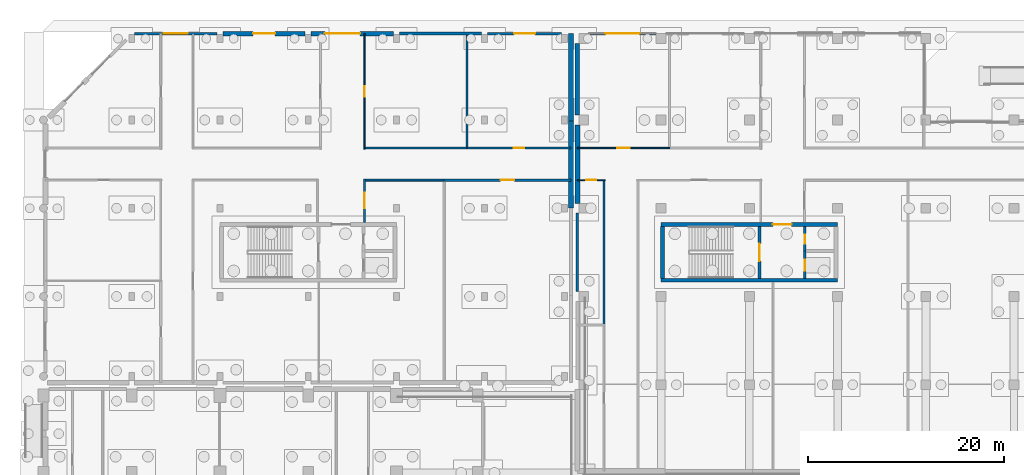
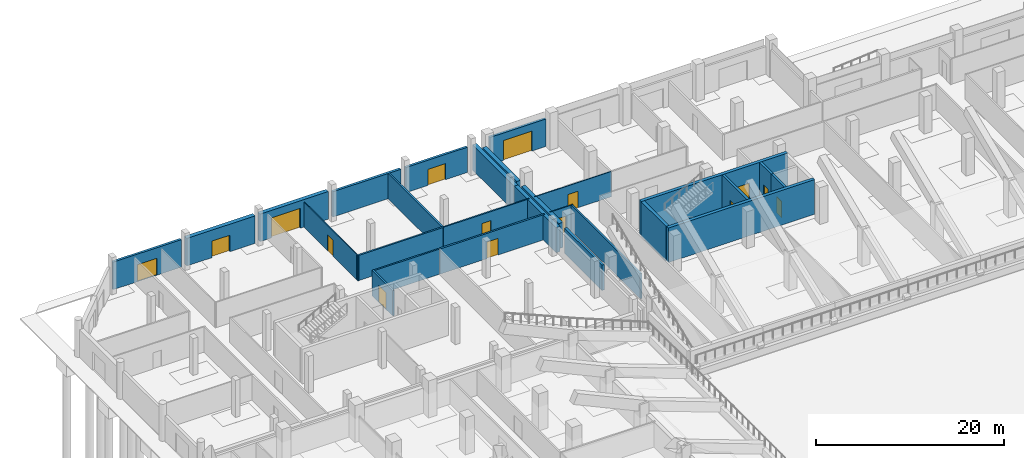
# One storey, part 34 of 53: 27 walls, 15 doors, 15 openings.
"""IFC4 building model written with IfcOpenShell, lengths in metres."""

from ifc_helpers import new_model, si_unit, direction, frame, frame_2d, origin, place, context, subcontext, project, spatial, rectangle, extrude, material, layer, layer_set, type_object, element, fill, save


model = new_model("IFC4")

# Units and contexts
model_context = context("Model", 3, precision=1e-05, world=origin(), true_north=direction((0.0, 1.0)))
body_context = subcontext(model_context, "Body", "Model", "MODEL_VIEW")
ifc_project = project(units=[si_unit("LENGTHUNIT", "METRE"), si_unit("AREAUNIT", "SQUARE_METRE"), si_unit("VOLUMEUNIT", "CUBIC_METRE"), si_unit("PLANEANGLEUNIT", "RADIAN"), si_unit("MASSUNIT", "GRAM", prefix="KILO"), si_unit("THERMODYNAMICTEMPERATUREUNIT", "KELVIN"), si_unit("POWERUNIT", "WATT")], contexts=[model_context])

# Site, building, storey
site_placement = place(None, origin())
site = spatial("IfcSite", under=ifc_project, at=site_placement, CompositionType="ELEMENT")
building_placement = place(site_placement, origin())
building = spatial("IfcBuilding", under=site, at=building_placement, Name="Sindhuravela Promenade Stadium", CompositionType="ELEMENT")
storey_placement = place(building_placement, origin())
storey = spatial("IfcBuildingStorey", under=building, at=storey_placement, Name="L00", CompositionType="ELEMENT", Elevation=0.0)

# Wall
ifc_material_1 = material(Name="Dholpur sandstone ashlar (45 MPa)", Category="masonry")
ifc_layer_1 = layer(ifc_material_1, 0.2900390625)
ifc_layer_set_1 = layer_set([ifc_layer_1], Name="Dholpur sandstone ashlar (45 MPa)")
wall_type_1 = type_object("IfcWallType", Name="EX-WL-SND290", PredefinedType="SOLIDWALL", material=ifc_layer_set_1)
wall_1_placement = place(storey_placement, frame((54.449951171875, 135.5048828125, 0.0), z_axis=(0.0, 0.0, 1.0), x_axis=(0.0, 1.0, 0.0)))
element("IfcWall", 1, at=wall_1_placement, inside=storey, type_object=wall_type_1, Name="Exterior masonry wall EW10 NORTH L00", PredefinedType="SOLIDWALL", context=body_context, shape_type="SweptSolid", body=[
    extrude(rectangle(XDim=7.990234375, YDim=0.2900390625, at=frame_2d((3.9951171875, 0.0))), origin(), (0.0, 0.0, 1.0), 3.280029296875),
])

# Wall, opening, door
wall_2_placement = place(storey_placement, frame((9.304931640625, 161.800048828125, 0.0), z_axis=(0.0, 0.0, 1.0), x_axis=(1.0, 0.0, 0.0)))
wall_2 = element("IfcWall", 2, at=wall_2_placement, inside=storey, type_object=wall_type_1, Name="Exterior masonry wall EW10 Pavilion NW L00", PredefinedType="SOLIDWALL", context=body_context, shape_type="SweptSolid", body=[
    extrude(rectangle(XDim=8.39013671875, YDim=0.2900390625, at=frame_2d((4.195068359375, 0.0))), origin(), (0.0, 0.0, 1.0), 3.580078125),
])
opening_1_placement = place(wall_2_placement, frame((2.969970703125, 0.0, 0.0)))
opening_1 = element("IfcOpeningElement", 3, at=opening_1_placement, cuts=wall_2, Name="Opening GT01", PredefinedType="OPENING", context=body_context, shape_type="SweptSolid", body=[
    extrude(rectangle(XDim=2.449951171875, YDim=2.199951171875, at=frame_2d((1.22509765625, 1.10009765625))), frame((0.0, 0.155029296875, 0.0), z_axis=(0.0, -1.0, 0.0), x_axis=(1.0, 0.0, 0.0)), (0.0, 0.0, 1.0), 0.31005859375),
])
ifc_material_2 = material(Name="Architectural wrought steel E350", Category="steel")
door_type_1 = type_object("IfcDoorType", Name="DR-GATE-2450x2200", OperationType="DOUBLE_DOOR_SINGLE_SWING", PredefinedType="GATE", material=ifc_material_2)
door_1_placement = place(opening_1_placement, origin())
door_1 = element("IfcDoor", 4, at=door_1_placement, inside=storey, type_object=door_type_1, Name="Promenade court exit gate GT01", OperationType="DOUBLE_DOOR_SINGLE_SWING", OverallHeight=2.199951171875, OverallWidth=2.449951171875, PredefinedType="GATE", context=body_context, shape_type="SweptSolid", body=[
    extrude(rectangle(XDim=2.449951171875, YDim=2.199951171875, at=frame_2d((1.22509765625, 1.10009765625))), frame((0.0, 0.02490234375, 0.0), z_axis=(0.0, -1.0, 0.0), x_axis=(1.0, 0.0, 0.0)), (0.0, 0.0, 1.0), 0.050048828125),
])
fill(opening_1, door_1)

wall_3_placement = place(storey_placement, frame((45.304931640625, 161.800048828125, 0.0), z_axis=(0.0, 0.0, 1.0), x_axis=(1.0, 0.0, 0.0)))
wall_3 = element("IfcWall", 5, at=wall_3_placement, inside=storey, type_object=wall_type_1, Name="Exterior masonry wall EW10 Pavilion NW L00", PredefinedType="SOLIDWALL", context=body_context, shape_type="SweptSolid", body=[
    extrude(rectangle(XDim=7.5400390625, YDim=0.2900390625, at=frame_2d((3.77001953125, 0.0))), origin(), (0.0, 0.0, 1.0), 3.280029296875),
])
opening_2_placement = place(wall_3_placement, frame((2.695068359375, 0.0, 0.0)))
opening_2 = element("IfcOpeningElement", 6, at=opening_2_placement, cuts=wall_3, Name="Opening GT03", PredefinedType="OPENING", context=body_context, shape_type="SweptSolid", body=[
    extrude(rectangle(XDim=2.14990234375, YDim=2.10009765625, at=frame_2d((1.074951171875, 1.050048828125))), frame((0.0, 0.155029296875, 0.0), z_axis=(0.0, -1.0, 0.0), x_axis=(1.0, 0.0, 0.0)), (0.0, 0.0, 1.0), 0.31005859375),
])
door_type_2 = type_object("IfcDoorType", Name="DR-GATE-2150x2100", OperationType="DOUBLE_DOOR_SINGLE_SWING", PredefinedType="GATE", material=ifc_material_2)
door_2_placement = place(opening_2_placement, origin())
door_2 = element("IfcDoor", 7, at=door_2_placement, inside=storey, type_object=door_type_2, Name="Promenade court exit gate GT03", OperationType="DOUBLE_DOOR_SINGLE_SWING", OverallHeight=2.10009765625, OverallWidth=2.14990234375, PredefinedType="GATE", context=body_context, shape_type="SweptSolid", body=[
    extrude(rectangle(XDim=2.14990234375, YDim=2.10009765625, at=frame_2d((1.074951171875, 1.050048828125))), frame((0.0, 0.02490234375, 0.0), z_axis=(0.0, -1.0, 0.0), x_axis=(1.0, 0.0, 0.0)), (0.0, 0.0, 1.0), 0.050048828125),
])
fill(opening_2, door_2)

ifc_layer_2 = layer(ifc_material_1, 0.31005859375)
ifc_layer_set_2 = layer_set([ifc_layer_2], Name="Dholpur sandstone ashlar (45 MPa)")
wall_type_2 = type_object("IfcWallType", Name="EX-WL-SND310", PredefinedType="SOLIDWALL", material=ifc_layer_set_2)
wall_4_placement = place(storey_placement, frame((55.60498046875, 161.800048828125, 0.0), z_axis=(0.0, 0.0, 1.0), x_axis=(1.0, 0.0, 0.0)))
wall_4 = element("IfcWall", 8, at=wall_4_placement, inside=storey, type_object=wall_type_2, Name="Exterior masonry wall EW09 NORTH L00", PredefinedType="SOLIDWALL", context=body_context, shape_type="SweptSolid", body=[
    extrude(rectangle(XDim=6.89013671875, YDim=0.31005859375, at=frame_2d((3.445068359375, 0.0))), origin(), (0.0, 0.0, 1.0), 3.580078125),
])
opening_3_placement = place(wall_4_placement, frame((1.695068359375, 0.0, 0.0)))
opening_3 = element("IfcOpeningElement", 9, at=opening_3_placement, cuts=wall_4, Name="Opening E18", PredefinedType="OPENING", context=body_context, shape_type="SweptSolid", body=[
    extrude(rectangle(XDim=3.5, YDim=2.60009765625, at=frame_2d((1.75, 1.300048828125))), frame((0.0, 0.1650390625, 0.0), z_axis=(0.0, -1.0, 0.0), x_axis=(1.0, 0.0, 0.0)), (0.0, 0.0, 1.0), 0.330078125),
])
ifc_material_3 = material(Name="Anodised architectural aluminium 6063-T6", Category="aluminium")
door_type_3 = type_object("IfcDoorType", Name="DR-EXIT-3500x2600", OperationType="DOUBLE_DOOR_SINGLE_SWING", PredefinedType="DOOR", material=ifc_material_3)
door_3_placement = place(opening_3_placement, origin())
door_3 = element("IfcDoor", 10, at=door_3_placement, inside=storey, type_object=door_type_3, Name="Final exit door E18", OperationType="DOUBLE_DOOR_SINGLE_SWING", OverallHeight=2.60009765625, OverallWidth=3.5, PredefinedType="DOOR", context=body_context, shape_type="SweptSolid", body=[
    extrude(rectangle(XDim=3.5, YDim=2.60009765625, at=frame_2d((1.75, 1.300048828125))), frame((0.0, 0.02490234375, 0.0), z_axis=(0.0, -1.0, 0.0), x_axis=(1.0, 0.0, 0.0)), (0.0, 0.0, 1.0), 0.050048828125),
])
fill(opening_3, door_3)

# Walls
wall_5_placement = place(storey_placement, frame((36.304931640625, 161.800048828125, 0.0), z_axis=(0.0, 0.0, 1.0), x_axis=(1.0, 0.0, 0.0)))
element("IfcWall", 11, at=wall_5_placement, inside=storey, type_object=wall_type_2, Name="Exterior masonry wall EW09 Pavilion NW L00", PredefinedType="SOLIDWALL", context=body_context, shape_type="SweptSolid", body=[
    extrude(rectangle(XDim=8.39013671875, YDim=0.31005859375, at=frame_2d((4.195068359375, 0.0))), origin(), (0.0, 0.0, 1.0), 3.280029296875),
])
ifc_layer_3 = layer(ifc_material_1, 0.47998046875)
ifc_layer_set_3 = layer_set([ifc_layer_3], Name="Dholpur sandstone ashlar (45 MPa)")
wall_type_3 = type_object("IfcWallType", Name="EX-WL-SND480", PredefinedType="SOLIDWALL", material=ifc_layer_set_3)
wall_6_placement = place(storey_placement, frame((54.449951171875, 153.5048828125, 0.0), z_axis=(0.0, 0.0, 1.0), x_axis=(0.0, 1.0, 0.0)))
element("IfcWall", 12, at=wall_6_placement, inside=storey, type_object=wall_type_3, Name="Exterior masonry wall EW08 NORTH L00", PredefinedType="SOLIDWALL", context=body_context, shape_type="SweptSolid", body=[
    extrude(rectangle(XDim=7.2900390625, YDim=0.47998046875, at=frame_2d((3.64501953125, 0.0))), origin(), (0.0, 0.0, 1.0), 3.280029296875),
])

# Wall, opening, door
wall_7_placement = place(storey_placement, frame((27.304931640625, 161.800048828125, 0.0), z_axis=(0.0, 0.0, 1.0), x_axis=(1.0, 0.0, 0.0)))
wall_7 = element("IfcWall", 13, at=wall_7_placement, inside=storey, type_object=wall_type_3, Name="Exterior masonry wall EW08 Pavilion NW L00", PredefinedType="SOLIDWALL", context=body_context, shape_type="SweptSolid", body=[
    extrude(rectangle(XDim=8.39013671875, YDim=0.47998046875, at=frame_2d((4.195068359375, 0.0))), origin(), (0.0, 0.0, 1.0), 3.580078125),
])
opening_4_placement = place(wall_7_placement, frame((1.39501953125, 0.0, 0.0)))
opening_4 = element("IfcOpeningElement", 14, at=opening_4_placement, cuts=wall_7, Name="Opening E09", PredefinedType="OPENING", context=body_context, shape_type="SweptSolid", body=[
    extrude(rectangle(XDim=3.60009765625, YDim=2.60009765625, at=frame_2d((1.800048828125, 1.300048828125))), frame((0.0, 0.25, 0.0), z_axis=(0.0, -1.0, 0.0), x_axis=(1.0, 0.0, 0.0)), (0.0, 0.0, 1.0), 0.5),
])
door_type_4 = type_object("IfcDoorType", Name="DR-EXIT-3600x2600", OperationType="DOUBLE_DOOR_SINGLE_SWING", PredefinedType="DOOR", material=ifc_material_3)
door_4_placement = place(opening_4_placement, origin())
door_4 = element("IfcDoor", 15, at=door_4_placement, inside=storey, type_object=door_type_4, Name="Final exit door E09", OperationType="DOUBLE_DOOR_SINGLE_SWING", OverallHeight=2.60009765625, OverallWidth=3.60009765625, PredefinedType="DOOR", context=body_context, shape_type="SweptSolid", body=[
    extrude(rectangle(XDim=3.60009765625, YDim=2.60009765625, at=frame_2d((1.800048828125, 1.300048828125))), frame((0.0, 0.02490234375, 0.0), z_axis=(0.0, -1.0, 0.0), x_axis=(1.0, 0.0, 0.0)), (0.0, 0.0, 1.0), 0.050048828125),
])
fill(opening_4, door_4)

# Walls
wall_8_placement = place(storey_placement, frame((53.800048828125, 152.89990234375, 0.0), z_axis=(0.0, 0.0, 1.0), x_axis=(0.0, -1.0, 0.0)))
element("IfcWall", 16, at=wall_8_placement, inside=storey, type_object=wall_type_3, Name="Exterior masonry wall EW08 Pavilion NW L00", PredefinedType="SOLIDWALL", context=body_context, shape_type="SweptSolid", body=[
    extrude(rectangle(XDim=8.89990234375, YDim=0.47998046875, at=frame_2d((4.449951171875, 0.0))), origin(), (0.0, 0.0, 1.0), 3.280029296875),
])
ifc_layer_4 = layer(ifc_material_1, 0.5)
ifc_layer_set_4 = layer_set([ifc_layer_4], Name="Dholpur sandstone ashlar (45 MPa)")
wall_type_4 = type_object("IfcWallType", Name="EX-WL-SND500", PredefinedType="SOLIDWALL", material=ifc_layer_set_4)
wall_9_placement = place(storey_placement, frame((54.449951171875, 144.5048828125, 0.0), z_axis=(0.0, 0.0, 1.0), x_axis=(0.0, 1.0, 0.0)))
element("IfcWall", 17, at=wall_9_placement, inside=storey, type_object=wall_type_4, Name="Exterior masonry wall EW07 NORTH L00", PredefinedType="SOLIDWALL", context=body_context, shape_type="SweptSolid", body=[
    extrude(rectangle(XDim=7.990234375, YDim=0.5, at=frame_2d((3.9951171875, 0.0))), origin(), (0.0, 0.0, 1.0), 3.280029296875),
])

# Wall, opening, door
wall_10_placement = place(storey_placement, frame((18.304931640625, 161.800048828125, 0.0), z_axis=(0.0, 0.0, 1.0), x_axis=(1.0, 0.0, 0.0)))
wall_10 = element("IfcWall", 18, at=wall_10_placement, inside=storey, type_object=wall_type_4, Name="Exterior masonry wall EW07 Pavilion NW L00", PredefinedType="SOLIDWALL", context=body_context, shape_type="SweptSolid", body=[
    extrude(rectangle(XDim=8.39013671875, YDim=0.5, at=frame_2d((4.195068359375, 0.0))), origin(), (0.0, 0.0, 1.0), 3.580078125),
])
opening_5_placement = place(wall_10_placement, frame((3.070068359375, 0.0, 0.0)))
opening_5 = element("IfcOpeningElement", 19, at=opening_5_placement, cuts=wall_10, Name="Opening GT02", PredefinedType="OPENING", context=body_context, shape_type="SweptSolid", body=[
    extrude(rectangle(XDim=2.25, YDim=2.14990234375, at=frame_2d((1.125, 1.074951171875))), frame((0.0, 0.260009765625, 0.0), z_axis=(0.0, -1.0, 0.0), x_axis=(1.0, 0.0, 0.0)), (0.0, 0.0, 1.0), 0.52001953125),
])
door_type_5 = type_object("IfcDoorType", Name="DR-GATE-2250x2150", OperationType="DOUBLE_DOOR_SINGLE_SWING", PredefinedType="GATE", material=ifc_material_2)
door_5_placement = place(opening_5_placement, origin())
door_5 = element("IfcDoor", 20, at=door_5_placement, inside=storey, type_object=door_type_5, Name="Promenade court exit gate GT02", OperationType="DOUBLE_DOOR_SINGLE_SWING", OverallHeight=2.14990234375, OverallWidth=2.25, PredefinedType="GATE", context=body_context, shape_type="SweptSolid", body=[
    extrude(rectangle(XDim=2.25, YDim=2.14990234375, at=frame_2d((1.125, 1.074951171875))), frame((0.0, 0.02490234375, 0.0), z_axis=(0.0, -1.0, 0.0), x_axis=(1.0, 0.0, 0.0)), (0.0, 0.0, 1.0), 0.050048828125),
])
fill(opening_5, door_5)

# Wall
wall_11_placement = place(storey_placement, frame((53.800048828125, 161.800048828125, 0.0), z_axis=(0.0, 0.0, 1.0), x_axis=(0.0, -1.0, 0.0)))
element("IfcWall", 21, at=wall_11_placement, inside=storey, type_object=wall_type_4, Name="Exterior masonry wall EW07 Pavilion NW L00", PredefinedType="SOLIDWALL", context=body_context, shape_type="SweptSolid", body=[
    extrude(rectangle(XDim=8.900146484375, YDim=0.5, at=frame_2d((4.4501953125, 0.0))), origin(), (0.0, 0.0, 1.0), 3.280029296875),
])

# Wall, opening, door
ifc_material_4 = material(Name="Fire-rated gypsum partition board", Category="gypsum")
ifc_layer_5 = layer(ifc_material_4, 0.110107421875)
ifc_layer_set_5 = layer_set([ifc_layer_5], Name="Fire-rated gypsum partition board")
wall_type_5 = type_object("IfcWallType", Name="IN-WL-PAR110", PredefinedType="PARTITIONING", material=ifc_layer_set_5)
wall_12_placement = place(storey_placement, frame((54.449951171875, 150.139892578125, 0.0), z_axis=(0.0, 0.0, 1.0), x_axis=(1.0, 0.0, 0.0)))
wall_12 = element("IfcWall", 22, at=wall_12_placement, inside=storey, type_object=wall_type_5, Name="Corridor partition IW06 Concourse Food Kiosk North L00 5", PredefinedType="PARTITIONING", context=body_context, shape_type="SweptSolid", body=[
    extrude(rectangle(XDim=9.4150390625, YDim=0.110107421875, at=frame_2d((4.70751953125, 0.0))), origin(), (0.0, 0.0, 1.0), 3.280029296875),
])
opening_6_placement = place(wall_12_placement, frame((4.08251953125, 0.0, 0.0)))
opening_6 = element("IfcOpeningElement", 23, at=opening_6_placement, cuts=wall_12, Name="Opening ID04", PredefinedType="OPENING", context=body_context, shape_type="SweptSolid", body=[
    extrude(rectangle(XDim=1.25, YDim=2.14990234375, at=frame_2d((0.625, 1.074951171875))), frame((0.0, 0.06494140625, 0.0), z_axis=(0.0, -1.0, 0.0), x_axis=(1.0, 0.0, 0.0)), (0.0, 0.0, 1.0), 0.130126953125),
])
ifc_material_5 = material(Name="Architectural teak timber leaf", Category="wood")
door_type_6 = type_object("IfcDoorType", Name="DR-INT-1250x2150", OperationType="NOTDEFINED", PredefinedType="DOOR", material=ifc_material_5)
door_6_placement = place(opening_6_placement, origin())
door_6 = element("IfcDoor", 24, at=door_6_placement, inside=storey, type_object=door_type_6, Name="Concourse Food Kiosk North L00 5 door", OperationType="SINGLE_SWING_RIGHT", OverallHeight=2.14990234375, OverallWidth=1.25, PredefinedType="DOOR", context=body_context, shape_type="SweptSolid", body=[
    extrude(rectangle(XDim=1.25, YDim=2.14990234375, at=frame_2d((0.625, 1.074951171875))), frame((0.0, 0.02490234375, 0.0), z_axis=(0.0, -1.0, 0.0), x_axis=(1.0, 0.0, 0.0)), (0.0, 0.0, 1.0), 0.050048828125),
])
fill(opening_6, door_6)

wall_13_placement = place(storey_placement, frame((57.280029296875, 146.860107421875, 0.0), z_axis=(0.0, 0.0, 1.0), x_axis=(-1.0, 0.0, 0.0)))
wall_13 = element("IfcWall", 25, at=wall_13_placement, inside=storey, type_object=wall_type_5, Name="Corridor partition IW06 Public Toilet Block North L00 8", PredefinedType="PARTITIONING", context=body_context, shape_type="SweptSolid", body=[
    extrude(rectangle(XDim=2.830078125, YDim=0.110107421875, at=frame_2d((1.4150390625, 0.0))), origin(), (0.0, 0.0, 1.0), 3.280029296875),
])
opening_7_placement = place(wall_13_placement, frame((0.889892578125, 0.0, 0.0)))
opening_7 = element("IfcOpeningElement", 26, at=opening_7_placement, cuts=wall_13, Name="Opening ID07", PredefinedType="OPENING", context=body_context, shape_type="SweptSolid", body=[
    extrude(rectangle(XDim=1.050048828125, YDim=2.10009765625, at=frame_2d((0.52490234375, 1.050048828125))), frame((0.0, 0.06494140625, 0.0), z_axis=(0.0, -1.0, 0.0), x_axis=(1.0, 0.0, 0.0)), (0.0, 0.0, 1.0), 0.130126953125),
])
door_type_7 = type_object("IfcDoorType", Name="DR-INT-1050x2100", OperationType="NOTDEFINED", PredefinedType="DOOR", material=ifc_material_5)
door_7_placement = place(opening_7_placement, origin())
door_7 = element("IfcDoor", 27, at=door_7_placement, inside=storey, type_object=door_type_7, Name="Public Toilet Block North L00 8 door", OperationType="SINGLE_SWING_LEFT", OverallHeight=2.10009765625, OverallWidth=1.050048828125, PredefinedType="DOOR", context=body_context, shape_type="SweptSolid", body=[
    extrude(rectangle(XDim=1.050048828125, YDim=2.10009765625, at=frame_2d((0.52490234375, 1.050048828125))), frame((0.0, 0.02490234375, 0.0), z_axis=(0.0, -1.0, 0.0), x_axis=(1.0, 0.0, 0.0)), (0.0, 0.0, 1.0), 0.050048828125),
])
fill(opening_7, door_7)

wall_14_placement = place(storey_placement, frame((32.739990234375, 161.800048828125, 0.0), z_axis=(0.0, 0.0, 1.0), x_axis=(0.0, -1.0, 0.0)))
wall_14 = element("IfcWall", 28, at=wall_14_placement, inside=storey, type_object=wall_type_5, Name="Corridor partition IW06 Gate Ticketing Hall NW 2", PredefinedType="PARTITIONING", context=body_context, shape_type="SweptSolid", body=[
    extrude(rectangle(XDim=11.780029296875, YDim=0.110107421875, at=frame_2d((5.89013671875, 0.0))), origin(), (0.0, 0.0, 1.0), 3.280029296875),
])
opening_8_placement = place(wall_14_placement, frame((5.340087890625, 0.0, 0.0)))
opening_8 = element("IfcOpeningElement", 29, at=opening_8_placement, cuts=wall_14, Name="Opening ID06", PredefinedType="OPENING", context=body_context, shape_type="SweptSolid", body=[
    extrude(rectangle(XDim=1.10009765625, YDim=2.10009765625, at=frame_2d((0.550048828125, 1.050048828125))), frame((0.0, 0.06494140625, 0.0), z_axis=(0.0, -1.0, 0.0), x_axis=(1.0, 0.0, 0.0)), (0.0, 0.0, 1.0), 0.130126953125),
])
door_type_8 = type_object("IfcDoorType", Name="DR-INT-1100x2100", OperationType="NOTDEFINED", PredefinedType="DOOR", material=ifc_material_5)
door_8_placement = place(opening_8_placement, origin())
door_8 = element("IfcDoor", 30, at=door_8_placement, inside=storey, type_object=door_type_8, Name="Gate Ticketing Hall NW 2 door", OperationType="SINGLE_SWING_LEFT", OverallHeight=2.10009765625, OverallWidth=1.10009765625, PredefinedType="DOOR", context=body_context, shape_type="SweptSolid", body=[
    extrude(rectangle(XDim=1.10009765625, YDim=2.10009765625, at=frame_2d((0.550048828125, 1.050048828125))), frame((0.0, 0.02490234375, 0.0), z_axis=(0.0, -1.0, 0.0), x_axis=(1.0, 0.0, 0.0)), (0.0, 0.0, 1.0), 0.050048828125),
])
fill(opening_8, door_8)

ifc_layer_6 = layer(ifc_material_4, 0.175048828125)
ifc_layer_set_6 = layer_set([ifc_layer_6], Name="Fire-rated gypsum partition board")
wall_type_6 = type_object("IfcWallType", Name="IN-WL-PAR175", PredefinedType="PARTITIONING", material=ifc_layer_set_6)
wall_15_placement = place(storey_placement, frame((43.2099609375, 150.139892578125, 0.0), z_axis=(0.0, 0.0, 1.0), x_axis=(1.0, 0.0, 0.0)))
wall_15 = element("IfcWall", 31, at=wall_15_placement, inside=storey, type_object=wall_type_6, Name="Corridor partition IW03 Spectator Accreditation Foyer NW 3", PredefinedType="PARTITIONING", context=body_context, shape_type="SweptSolid", body=[
    extrude(rectangle(XDim=10.590087890625, YDim=0.175048828125, at=frame_2d((5.294921875, 0.0))), origin(), (0.0, 0.0, 1.0), 3.280029296875),
])
opening_9_placement = place(wall_15_placement, frame((4.77001953125, 0.0, 0.0)))
opening_9 = element("IfcOpeningElement", 32, at=opening_9_placement, cuts=wall_15, Name="Opening ID07", PredefinedType="OPENING", context=body_context, shape_type="SweptSolid", body=[
    extrude(rectangle(XDim=1.050048828125, YDim=2.10009765625, at=frame_2d((0.52490234375, 1.050048828125))), frame((0.0, 0.097412109375, 0.0), z_axis=(0.0, -1.0, 0.0), x_axis=(1.0, 0.0, 0.0)), (0.0, 0.0, 1.0), 0.195068359375),
])
door_9_placement = place(opening_9_placement, origin())
door_9 = element("IfcDoor", 33, at=door_9_placement, inside=storey, type_object=door_type_7, Name="Spectator Accreditation Foyer NW 3 door", OperationType="SINGLE_SWING_RIGHT", OverallHeight=2.10009765625, OverallWidth=1.050048828125, PredefinedType="DOOR", context=body_context, shape_type="SweptSolid", body=[
    extrude(rectangle(XDim=1.050048828125, YDim=2.10009765625, at=frame_2d((0.52490234375, 1.050048828125))), frame((0.0, 0.02490234375, 0.0), z_axis=(0.0, -1.0, 0.0), x_axis=(1.0, 0.0, 0.0)), (0.0, 0.0, 1.0), 0.050048828125),
])
fill(opening_9, door_9)

# Walls
ifc_layer_7 = layer(ifc_material_4, 0.195068359375)
ifc_layer_set_7 = layer_set([ifc_layer_7], Name="Fire-rated gypsum partition board")
wall_type_7 = type_object("IfcWallType", Name="IN-WL-PAR195", PredefinedType="PARTITIONING", material=ifc_layer_set_7)
wall_16_placement = place(storey_placement, frame((32.659912109375, 146.860107421875, 0.0), z_axis=(0.0, 0.0, 1.0), x_axis=(1.0, 0.0, 0.0)))
element("IfcWall", 34, at=wall_16_placement, inside=storey, type_object=wall_type_7, Name="Interior partition IW02 Pavilion NW L00", PredefinedType="PARTITIONING", context=body_context, shape_type="SweptSolid", body=[
    extrude(rectangle(XDim=8.166748046875, YDim=0.195068359375, at=frame_2d((4.08349609375, 0.0))), origin(), (0.0, 0.0, 1.0), 3.280029296875),
])
wall_17_placement = place(storey_placement, frame((43.169921875, 150.139892578125, 0.0), z_axis=(0.0, 0.0, 1.0), x_axis=(-1.0, 0.0, 0.0)))
element("IfcWall", 35, at=wall_17_placement, inside=storey, type_object=wall_type_7, Name="Interior partition IW02 Pavilion NW L00", PredefinedType="PARTITIONING", context=body_context, shape_type="SweptSolid", body=[
    extrude(rectangle(XDim=10.510009765625, YDim=0.195068359375, at=frame_2d((5.2548828125, 0.0))), origin(), (0.0, 0.0, 1.0), 3.280029296875),
])
ifc_layer_8 = layer(ifc_material_4, 0.219970703125)
ifc_layer_set_8 = layer_set([ifc_layer_8], Name="Fire-rated gypsum partition board")
wall_type_8 = type_object("IfcWallType", Name="IN-WL-PAR220", PredefinedType="PARTITIONING", material=ifc_layer_set_8)
wall_18_placement = place(storey_placement, frame((57.159912109375, 146.93994140625, 0.0), z_axis=(0.0, 0.0, 1.0), x_axis=(0.0, -1.0, 0.0)))
element("IfcWall", 36, at=wall_18_placement, inside=storey, type_object=wall_type_8, Name="Interior partition IW01 NORTH L00", PredefinedType="PARTITIONING", context=body_context, shape_type="SweptSolid", body=[
    extrude(rectangle(XDim=14.81005859375, YDim=0.219970703125, at=frame_2d((7.405029296875, 0.0))), origin(), (0.0, 0.0, 1.0), 3.280029296875),
])

# Wall, opening, door
wall_19_placement = place(storey_placement, frame((53.800048828125, 146.860107421875, 0.0), z_axis=(0.0, 0.0, 1.0), x_axis=(-1.0, 0.0, 0.0)))
wall_19 = element("IfcWall", 37, at=wall_19_placement, inside=storey, type_object=wall_type_8, Name="Corridor partition IW01 Gate Ticketing Hall NW", PredefinedType="PARTITIONING", context=body_context, shape_type="SweptSolid", body=[
    extrude(rectangle(XDim=12.933349609375, YDim=0.219970703125, at=frame_2d((6.466796875, 0.0))), origin(), (0.0, 0.0, 1.0), 3.280029296875),
])
opening_10_placement = place(wall_19_placement, frame((5.7666015625, 0.0, 0.0)))
opening_10 = element("IfcOpeningElement", 38, at=opening_10_placement, cuts=wall_19, Name="Opening ID03", PredefinedType="OPENING", context=body_context, shape_type="SweptSolid", body=[
    extrude(rectangle(XDim=1.39990234375, YDim=2.14990234375, at=frame_2d((0.699951171875, 1.074951171875))), frame((0.0, 0.119873046875, 0.0), z_axis=(0.0, -1.0, 0.0), x_axis=(1.0, 0.0, 0.0)), (0.0, 0.0, 1.0), 0.239990234375),
])
door_type_9 = type_object("IfcDoorType", Name="DR-INT-1400x2150", OperationType="DOUBLE_DOOR_SINGLE_SWING", PredefinedType="DOOR", material=ifc_material_5)
door_10_placement = place(opening_10_placement, origin())
door_10 = element("IfcDoor", 39, at=door_10_placement, inside=storey, type_object=door_type_9, Name="Gate Ticketing Hall NW door", OperationType="DOUBLE_DOOR_SINGLE_SWING", OverallHeight=2.14990234375, OverallWidth=1.39990234375, PredefinedType="DOOR", context=body_context, shape_type="SweptSolid", body=[
    extrude(rectangle(XDim=1.39990234375, YDim=2.14990234375, at=frame_2d((0.699951171875, 1.074951171875))), frame((0.0, 0.02490234375, 0.0), z_axis=(0.0, -1.0, 0.0), x_axis=(1.0, 0.0, 0.0)), (0.0, 0.0, 1.0), 0.050048828125),
])
fill(opening_10, door_10)

wall_20_placement = place(storey_placement, frame((32.739990234375, 146.97998046875, 0.0), z_axis=(0.0, 0.0, 1.0), x_axis=(0.0, -1.0, 0.0)))
wall_20 = element("IfcWall", 40, at=wall_20_placement, inside=storey, type_object=wall_type_8, Name="Corridor partition IW01 Bag Check and Security Hall NW", PredefinedType="PARTITIONING", context=body_context, shape_type="SweptSolid", body=[
    extrude(rectangle(XDim=4.427978515625, YDim=0.219970703125, at=frame_2d((2.2138671875, 0.0))), origin(), (0.0, 0.0, 1.0), 3.280029296875),
])
opening_11_placement = place(wall_20_placement, frame((1.425048828125, 0.0, 0.0)))
opening_11 = element("IfcOpeningElement", 41, at=opening_11_placement, cuts=wall_20, Name="Opening ID02", PredefinedType="OPENING", context=body_context, shape_type="SweptSolid", body=[
    extrude(rectangle(XDim=1.550048828125, YDim=2.199951171875, at=frame_2d((0.77490234375, 1.10009765625))), frame((0.0, 0.119873046875, 0.0), z_axis=(0.0, -1.0, 0.0), x_axis=(1.0, 0.0, 0.0)), (0.0, 0.0, 1.0), 0.239990234375),
])
door_type_10 = type_object("IfcDoorType", Name="DR-INT-1550x2200", OperationType="DOUBLE_DOOR_SINGLE_SWING", PredefinedType="DOOR", material=ifc_material_5)
door_11_placement = place(opening_11_placement, origin())
door_11 = element("IfcDoor", 42, at=door_11_placement, inside=storey, type_object=door_type_10, Name="Bag Check and Security Hall NW door", OperationType="DOUBLE_DOOR_SINGLE_SWING", OverallHeight=2.199951171875, OverallWidth=1.550048828125, PredefinedType="DOOR", context=body_context, shape_type="SweptSolid", body=[
    extrude(rectangle(XDim=1.550048828125, YDim=2.199951171875, at=frame_2d((0.77490234375, 1.10009765625))), frame((0.0, 0.02490234375, 0.0), z_axis=(0.0, -1.0, 0.0), x_axis=(1.0, 0.0, 0.0)), (0.0, 0.0, 1.0), 0.050048828125),
])
fill(opening_11, door_11)

# Wall
wall_21_placement = place(storey_placement, frame((43.2099609375, 161.760009765625, 0.0), z_axis=(0.0, 0.0, 1.0), x_axis=(0.0, -1.0, 0.0)))
element("IfcWall", 43, at=wall_21_placement, inside=storey, type_object=wall_type_8, Name="Interior partition IW01 Pavilion NW L00", PredefinedType="PARTITIONING", context=body_context, shape_type="SweptSolid", body=[
    extrude(rectangle(XDim=11.699951171875, YDim=0.219970703125, at=frame_2d((5.85009765625, 0.0))), origin(), (0.0, 0.0, 1.0), 3.280029296875),
])

# Wall, opening, door
ifc_material_6 = material(Name="Concrete M50", Category="concrete")
ifc_layer_9 = layer(ifc_material_6, 0.300048828125)
ifc_layer_set_9 = layer_set([ifc_layer_9], Name="Concrete M50")
wall_type_9 = type_object("IfcWallType", Name="RC-SW-300", PredefinedType="SHEAR", material=ifc_layer_set_9)
wall_22_placement = place(storey_placement, frame((73.050048828125, 136.85009765625, 0.0), z_axis=(0.0, 0.0, 1.0), x_axis=(0.0, 1.0, 0.0)))
wall_22 = element("IfcWall", 44, at=wall_22_placement, inside=storey, type_object=wall_type_9, Name="Core shear wall C09-ST (L00)", PredefinedType="SHEAR", context=body_context, shape_type="SweptSolid", body=[
    extrude(rectangle(XDim=5.2998046875, YDim=0.300048828125, at=frame_2d((2.64990234375, 0.0))), origin(), (0.0, 0.0, 1.0), 4.5),
])
opening_12_placement = place(wall_22_placement, frame((1.75, 0.0, 0.0)))
opening_12 = element("IfcOpeningElement", 45, at=opening_12_placement, cuts=wall_22, Name="Opening FD01", PredefinedType="OPENING", context=body_context, shape_type="SweptSolid", body=[
    extrude(rectangle(XDim=1.800048828125, YDim=2.25, at=frame_2d((0.89990234375, 1.125))), frame((0.0, 0.159912109375, 0.0), z_axis=(0.0, -1.0, 0.0), x_axis=(1.0, 0.0, 0.0)), (0.0, 0.0, 1.0), 0.320068359375),
])
door_type_11 = type_object("IfcDoorType", Name="DR-CORE-1800x2250", OperationType="DOUBLE_DOOR_SINGLE_SWING", PredefinedType="DOOR", material=ifc_material_2)
door_12_placement = place(opening_12_placement, origin())
door_12 = element("IfcDoor", 46, at=door_12_placement, inside=storey, type_object=door_type_11, Name="Stair ST09 lobby fire door (L00)", OperationType="DOUBLE_DOOR_SINGLE_SWING", OverallHeight=2.25, OverallWidth=1.800048828125, PredefinedType="DOOR", context=body_context, shape_type="SweptSolid", body=[
    extrude(rectangle(XDim=1.800048828125, YDim=2.25, at=frame_2d((0.89990234375, 1.125))), frame((0.0, 0.02490234375, 0.0), z_axis=(0.0, -1.0, 0.0), x_axis=(1.0, 0.0, 0.0)), (0.0, 0.0, 1.0), 0.050048828125),
])
fill(opening_12, door_12)

wall_23_placement = place(storey_placement, frame((77.64990234375, 136.85009765625, 0.0), z_axis=(0.0, 0.0, 1.0), x_axis=(0.0, 1.0, 0.0)))
wall_23 = element("IfcWall", 47, at=wall_23_placement, inside=storey, type_object=wall_type_9, Name="Core shear wall C09-LFT (L00)", PredefinedType="SHEAR", context=body_context, shape_type="SweptSolid", body=[
    extrude(rectangle(XDim=2.7998046875, YDim=0.300048828125, at=frame_2d((1.39990234375, 0.0))), origin(), (0.0, 0.0, 1.0), 4.5),
])
opening_13_placement = place(wall_23_placement, frame((0.77490234375, 0.0, 0.0)))
opening_13 = element("IfcOpeningElement", 48, at=opening_13_placement, cuts=wall_23, Name="Opening LD", PredefinedType="OPENING", context=body_context, shape_type="SweptSolid", body=[
    extrude(rectangle(XDim=1.10009765625, YDim=2.10009765625, at=frame_2d((0.550048828125, 1.050048828125))), frame((0.0, 0.159912109375, 0.0), z_axis=(0.0, -1.0, 0.0), x_axis=(1.0, 0.0, 0.0)), (0.0, 0.0, 1.0), 0.320068359375),
])
door_type_12 = type_object("IfcDoorType", Name="DR-LFT-1100x2100", OperationType="DOUBLE_DOOR_SLIDING", PredefinedType="DOOR", material=ifc_material_2)
door_13_placement = place(opening_13_placement, origin())
door_13 = element("IfcDoor", 49, at=door_13_placement, inside=storey, type_object=door_type_12, Name="Lift PL03 landing door (L00)", OperationType="DOUBLE_DOOR_SLIDING", OverallHeight=2.10009765625, OverallWidth=1.10009765625, PredefinedType="DOOR", context=body_context, shape_type="SweptSolid", body=[
    extrude(rectangle(XDim=1.10009765625, YDim=2.10009765625, at=frame_2d((0.550048828125, 1.050048828125))), frame((0.0, 0.02490234375, 0.0), z_axis=(0.0, -1.0, 0.0), x_axis=(1.0, 0.0, 0.0)), (0.0, 0.0, 1.0), 0.050048828125),
])
fill(opening_13, door_13)

wall_24_placement = place(storey_placement, frame((77.64990234375, 139.64990234375, 0.0), z_axis=(0.0, 0.0, 1.0), x_axis=(0.0, 1.0, 0.0)))
wall_24 = element("IfcWall", 50, at=wall_24_placement, inside=storey, type_object=wall_type_9, Name="Core shear wall C09-RSR (L00)", PredefinedType="SHEAR", context=body_context, shape_type="SweptSolid", body=[
    extrude(rectangle(XDim=2.5, YDim=0.300048828125, at=frame_2d((1.25, 0.0))), origin(), (0.0, 0.0, 1.0), 4.5),
])
opening_14_placement = place(wall_24_placement, frame((0.72509765625, 0.0, 0.0)))
opening_14 = element("IfcOpeningElement", 51, at=opening_14_placement, cuts=wall_24, Name="Opening FD03", PredefinedType="OPENING", context=body_context, shape_type="SweptSolid", body=[
    extrude(rectangle(XDim=0.89990234375, YDim=2.10009765625, at=frame_2d((0.449951171875, 1.050048828125))), frame((0.0, 0.159912109375, 0.0), z_axis=(0.0, -1.0, 0.0), x_axis=(1.0, 0.0, 0.0)), (0.0, 0.0, 1.0), 0.320068359375),
])
door_type_13 = type_object("IfcDoorType", Name="DR-RSR-900x2100", OperationType="NOTDEFINED", PredefinedType="DOOR", material=ifc_material_2)
door_14_placement = place(opening_14_placement, origin())
door_14 = element("IfcDoor", 52, at=door_14_placement, inside=storey, type_object=door_type_13, Name="Riser shaft access door C09 (L00)", OperationType="SINGLE_SWING_LEFT", OverallHeight=2.10009765625, OverallWidth=0.89990234375, PredefinedType="DOOR", context=body_context, shape_type="SweptSolid", body=[
    extrude(rectangle(XDim=0.89990234375, YDim=2.10009765625, at=frame_2d((0.449951171875, 1.050048828125))), frame((0.0, 0.02490234375, 0.0), z_axis=(0.0, -1.0, 0.0), x_axis=(1.0, 0.0, 0.0)), (0.0, 0.0, 1.0), 0.050048828125),
])
fill(opening_14, door_14)

# Wall
ifc_layer_10 = layer(ifc_material_6, 0.39990234375)
ifc_layer_set_10 = layer_set([ifc_layer_10], Name="Concrete M50")
wall_type_10 = type_object("IfcWallType", Name="RC-SW-400", PredefinedType="SHEAR", material=ifc_layer_set_10)
wall_25_placement = place(storey_placement, frame((63.0, 136.64990234375, 0.0), z_axis=(0.0, 0.0, 1.0), x_axis=(1.0, 0.0, 0.0)))
element("IfcWall", 53, at=wall_25_placement, inside=storey, type_object=wall_type_10, Name="Core shear wall C09-S (L00)", PredefinedType="SHEAR", context=body_context, shape_type="SweptSolid", body=[
    extrude(rectangle(XDim=18.0, YDim=0.39990234375, at=frame_2d((9.0, 0.0))), origin(), (0.0, 0.0, 1.0), 4.5),
])

# Wall, opening, door
wall_26_placement = place(storey_placement, frame((81.0, 142.35009765625, 0.0), z_axis=(0.0, 0.0, 1.0), x_axis=(-1.0, 0.0, 0.0)))
wall_26 = element("IfcWall", 54, at=wall_26_placement, inside=storey, type_object=wall_type_10, Name="Core shear wall C09-N (L00)", PredefinedType="SHEAR", context=body_context, shape_type="SweptSolid", body=[
    extrude(rectangle(XDim=18.0, YDim=0.39990234375, at=frame_2d((9.0, 0.0))), origin(), (0.0, 0.0, 1.0), 4.5),
])
opening_15_placement = place(wall_26_placement, frame((4.699951171875, 0.0, 0.0)))
opening_15 = element("IfcOpeningElement", 55, at=opening_15_placement, cuts=wall_26, Name="Opening FD02", PredefinedType="OPENING", context=body_context, shape_type="SweptSolid", body=[
    extrude(rectangle(XDim=1.89990234375, YDim=2.25, at=frame_2d((0.949951171875, 1.125))), frame((0.0, 0.2099609375, 0.0), z_axis=(0.0, -1.0, 0.0), x_axis=(1.0, 0.0, 0.0)), (0.0, 0.0, 1.0), 0.419921875),
])
door_type_14 = type_object("IfcDoorType", Name="DR-LOB-1900x2250", OperationType="DOUBLE_DOOR_SINGLE_SWING", PredefinedType="DOOR", material=ifc_material_2)
door_15_placement = place(opening_15_placement, origin())
door_15 = element("IfcDoor", 56, at=door_15_placement, inside=storey, type_object=door_type_14, Name="Protected lobby entrance door C09 (L00)", OperationType="DOUBLE_DOOR_SINGLE_SWING", OverallHeight=2.25, OverallWidth=1.89990234375, PredefinedType="DOOR", context=body_context, shape_type="SweptSolid", body=[
    extrude(rectangle(XDim=1.89990234375, YDim=2.25, at=frame_2d((0.949951171875, 1.125))), frame((0.0, 0.02490234375, 0.0), z_axis=(0.0, -1.0, 0.0), x_axis=(1.0, 0.0, 0.0)), (0.0, 0.0, 1.0), 0.050048828125),
])
fill(opening_15, door_15)

# Wall
wall_27_placement = place(storey_placement, frame((63.14990234375, 142.14990234375, 0.0), z_axis=(0.0, 0.0, 1.0), x_axis=(0.0, -1.0, 0.0)))
element("IfcWall", 57, at=wall_27_placement, inside=storey, type_object=wall_type_10, Name="Core shear wall C09-W (L00)", PredefinedType="SHEAR", context=body_context, shape_type="SweptSolid", body=[
    extrude(rectangle(XDim=5.2998046875, YDim=0.39990234375, at=frame_2d((2.64990234375, 0.0))), origin(), (0.0, 0.0, 1.0), 4.5),
])

save(model, "model.ifc")
